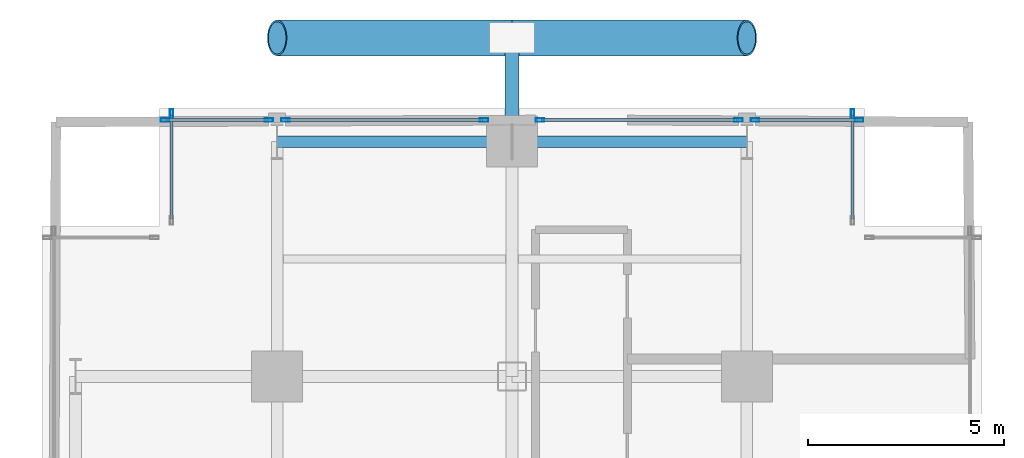
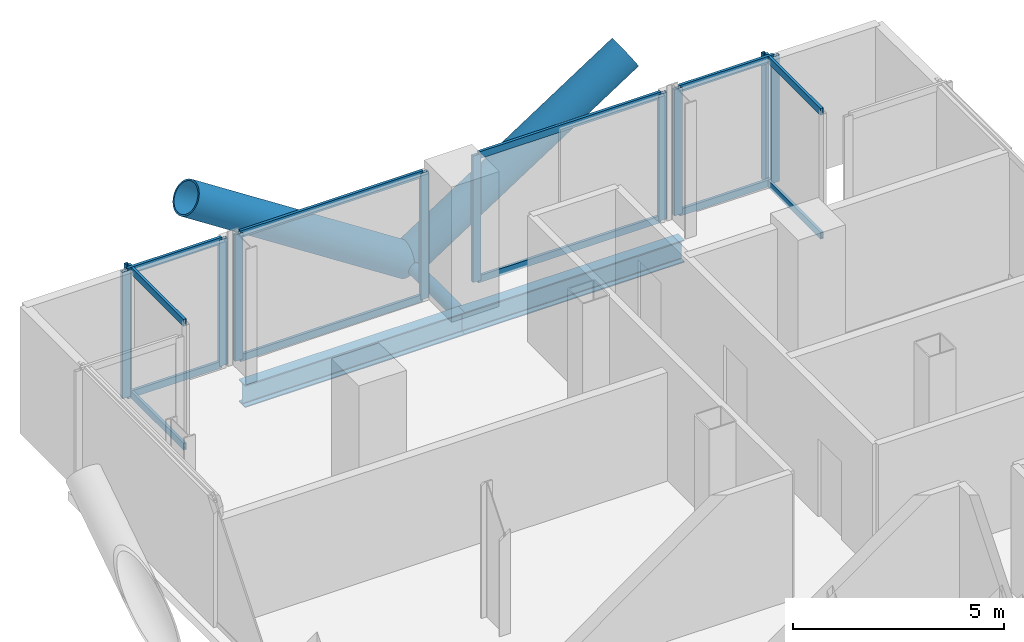
# One storey, part 16 of 25: 25 members, 2 beams, 6 elements without a shape of their own.
"""IFC4 building model written with IfcOpenShell, lengths in metres."""

from ifc_helpers import new_model, si_unit, direction, frame, origin, origin_2d, place, context, subcontext, project, spatial, hollow_rectangle, hollow_circle, i_section, extrude, material, layer, layer_set, material_profile, profile_set, type_object, element, aggregate, save


model = new_model("IFC4")

# Units and contexts
model_context = context("Model", 3, precision=1e-05, world=origin(), true_north=direction((0.0, 1.0)))
body_context = subcontext(model_context, "Body", "Model", "MODEL_VIEW")
ifc_project = project(units=[si_unit("LENGTHUNIT", "METRE"), si_unit("AREAUNIT", "SQUARE_METRE"), si_unit("VOLUMEUNIT", "CUBIC_METRE"), si_unit("PLANEANGLEUNIT", "RADIAN"), si_unit("MASSUNIT", "GRAM", prefix="KILO"), si_unit("THERMODYNAMICTEMPERATUREUNIT", "KELVIN"), si_unit("POWERUNIT", "WATT")], contexts=[model_context])

# Site, building, storey
site_placement = place(None, origin())
site = spatial("IfcSite", under=ifc_project, at=site_placement, CompositionType="ELEMENT")
building_placement = place(site_placement, origin())
building = spatial("IfcBuilding", under=site, at=building_placement, Name="Svarakhadi Broadcast Tower", CompositionType="ELEMENT")
storey_placement = place(building_placement, frame((0.0, 0.0, 83.10009765625)))
storey = spatial("IfcBuildingStorey", under=building, at=storey_placement, Name="L19", CompositionType="ELEMENT", Elevation=83.10009765625)

# Curtain wall, member
ifc_material_1 = material(Name="Anodised Bronze Aluminium AA 6063-T6", Category="aluminium")
ifc_layer = layer(ifc_material_1, 0.219970703125)
ifc_layer_set = layer_set([ifc_layer], Name="Anodised Bronze Aluminium AA 6063-T6")
curtain_wall_type = type_object("IfcCurtainWallType", Name="CW_Sys_02", PredefinedType="NOTDEFINED", material=ifc_layer_set)
curtain_wall_1_placement = place(storey_placement, origin())
curtain_wall_1 = element("IfcCurtainWall", 1, at=curtain_wall_1_placement, inside=storey, type_object=curtain_wall_type, Name="L19 Unitised Facade Curtain Wall 05", PredefinedType="NOTDEFINED")
ifc_material_profile_1 = material_profile(ifc_material_1, hollow_rectangle(XDim=0.0849609375, YDim=0.219970703125, WallThickness=0.006103515625, at=origin_2d()), Name="ALU MULLION 220x85x6")
ifc_profile_set_1 = profile_set([ifc_material_profile_1], Name="Anodised Bronze Aluminium AA 6063-T6")
member_type_1 = type_object("IfcMemberType", Name="CW_Sys_02_Mul", PredefinedType="MULLION", material=ifc_profile_set_1)
member_1_placement = place(storey_placement, frame((3.300048828125, 47.867431640625, 0.0), z_axis=(0.0, 0.0, 1.0), x_axis=(-1.0, 0.0, 0.0)))
member_1 = element("IfcMember", 2, at=member_1_placement, type_object=member_type_1, Name="CW-02 mullion 2", PredefinedType="MULLION", context=body_context, shape_type="SweptSolid", body=[
    extrude(hollow_rectangle(XDim=0.0849609375, YDim=0.219970703125, WallThickness=0.006103515625, at=origin_2d()), origin(), (0.0, 0.0, 1.0), 3.64990234375),
])

# Curtain wall, members
curtain_wall_2_placement = place(storey_placement, origin())
curtain_wall_2 = element("IfcCurtainWall", 3, at=curtain_wall_2_placement, inside=storey, type_object=curtain_wall_type, Name="L19 Unitised Facade Curtain Wall 06 Bay 1", PredefinedType="NOTDEFINED")
member_2_placement = place(storey_placement, frame((3.132568359375, 47.699951171875, 0.0), z_axis=(0.0, 0.0, 1.0), x_axis=(0.0, 1.0, 0.0)))
member_2 = element("IfcMember", 4, at=member_2_placement, type_object=member_type_1, Name="CW-02 mullion 1", PredefinedType="MULLION", context=body_context, shape_type="SweptSolid", body=[
    extrude(hollow_rectangle(XDim=0.0849609375, YDim=0.219970703125, WallThickness=0.006103515625, at=origin_2d()), origin(), (0.0, 0.0, 1.0), 3.64990234375),
])
member_3_placement = place(storey_placement, frame((5.78759765625, 47.699951171875, 0.0), z_axis=(0.0, 0.0, 1.0), x_axis=(0.0, 1.0, 0.0)))
member_3 = element("IfcMember", 5, at=member_3_placement, type_object=member_type_1, Name="CW-02 mullion 2", PredefinedType="MULLION", context=body_context, shape_type="SweptSolid", body=[
    extrude(hollow_rectangle(XDim=0.0849609375, YDim=0.219970703125, WallThickness=0.006103515625, at=origin_2d()), origin(), (0.0, 0.0, 1.0), 3.64990234375),
])

curtain_wall_3_placement = place(storey_placement, origin())
curtain_wall_3 = element("IfcCurtainWall", 6, at=curtain_wall_3_placement, inside=storey, type_object=curtain_wall_type, Name="L19 Unitised Facade Curtain Wall 06 Bay 2", PredefinedType="NOTDEFINED")
member_4_placement = place(storey_placement, frame((6.21240234375, 47.699951171875, 0.0), z_axis=(0.0, 0.0, 1.0), x_axis=(0.0, 1.0, 0.0)))
member_4 = element("IfcMember", 7, at=member_4_placement, type_object=member_type_1, Name="CW-02 mullion 1", PredefinedType="MULLION", context=body_context, shape_type="SweptSolid", body=[
    extrude(hollow_rectangle(XDim=0.0849609375, YDim=0.219970703125, WallThickness=0.006103515625, at=origin_2d()), origin(), (0.0, 0.0, 1.0), 3.64990234375),
])
member_5_placement = place(storey_placement, frame((11.28759765625, 47.699951171875, 0.0), z_axis=(0.0, 0.0, 1.0), x_axis=(0.0, 1.0, 0.0)))
member_5 = element("IfcMember", 8, at=member_5_placement, type_object=member_type_1, Name="CW-02 mullion 2", PredefinedType="MULLION", context=body_context, shape_type="SweptSolid", body=[
    extrude(hollow_rectangle(XDim=0.0849609375, YDim=0.219970703125, WallThickness=0.006103515625, at=origin_2d()), origin(), (0.0, 0.0, 1.0), 3.64990234375),
])

curtain_wall_4_placement = place(storey_placement, origin())
curtain_wall_4 = element("IfcCurtainWall", 9, at=curtain_wall_4_placement, inside=storey, type_object=curtain_wall_type, Name="L19 Unitised Facade Curtain Wall 06 Bay 3", PredefinedType="NOTDEFINED")
member_6_placement = place(storey_placement, frame((12.71240234375, 47.699951171875, 0.0), z_axis=(0.0, 0.0, 1.0), x_axis=(0.0, 1.0, 0.0)))
member_6 = element("IfcMember", 10, at=member_6_placement, type_object=member_type_1, Name="CW-02 mullion 1", PredefinedType="MULLION", context=body_context, shape_type="SweptSolid", body=[
    extrude(hollow_rectangle(XDim=0.0849609375, YDim=0.219970703125, WallThickness=0.006103515625, at=origin_2d()), origin(), (0.0, 0.0, 1.0), 3.64990234375),
])
member_7_placement = place(storey_placement, frame((17.78759765625, 47.699951171875, 0.0), z_axis=(0.0, 0.0, 1.0), x_axis=(0.0, 1.0, 0.0)))
member_7 = element("IfcMember", 11, at=member_7_placement, type_object=member_type_1, Name="CW-02 mullion 2", PredefinedType="MULLION", context=body_context, shape_type="SweptSolid", body=[
    extrude(hollow_rectangle(XDim=0.0849609375, YDim=0.219970703125, WallThickness=0.006103515625, at=origin_2d()), origin(), (0.0, 0.0, 1.0), 3.64990234375),
])

curtain_wall_5_placement = place(storey_placement, origin())
curtain_wall_5 = element("IfcCurtainWall", 12, at=curtain_wall_5_placement, inside=storey, type_object=curtain_wall_type, Name="L19 Unitised Facade Curtain Wall 06 Bay 4", PredefinedType="NOTDEFINED")
member_8_placement = place(storey_placement, frame((18.21240234375, 47.699951171875, 0.0), z_axis=(0.0, 0.0, 1.0), x_axis=(0.0, 1.0, 0.0)))
member_8 = element("IfcMember", 13, at=member_8_placement, type_object=member_type_1, Name="CW-02 mullion 1", PredefinedType="MULLION", context=body_context, shape_type="SweptSolid", body=[
    extrude(hollow_rectangle(XDim=0.0849609375, YDim=0.219970703125, WallThickness=0.006103515625, at=origin_2d()), origin(), (0.0, 0.0, 1.0), 3.64990234375),
])
member_9_placement = place(storey_placement, frame((20.867431640625, 47.699951171875, 0.0), z_axis=(0.0, 0.0, 1.0), x_axis=(0.0, 1.0, 0.0)))
member_9 = element("IfcMember", 14, at=member_9_placement, type_object=member_type_1, Name="CW-02 mullion 2", PredefinedType="MULLION", context=body_context, shape_type="SweptSolid", body=[
    extrude(hollow_rectangle(XDim=0.0849609375, YDim=0.219970703125, WallThickness=0.006103515625, at=origin_2d()), origin(), (0.0, 0.0, 1.0), 3.64990234375),
])

# Curtain wall, member
curtain_wall_6_placement = place(storey_placement, origin())
curtain_wall_6 = element("IfcCurtainWall", 15, at=curtain_wall_6_placement, inside=storey, type_object=curtain_wall_type, Name="L19 Unitised Facade Curtain Wall 07", PredefinedType="NOTDEFINED")
member_10_placement = place(storey_placement, frame((20.699951171875, 47.867431640625, 0.0), z_axis=(0.0, 0.0, 1.0), x_axis=(1.0, 0.0, 0.0)))
member_10 = element("IfcMember", 16, at=member_10_placement, type_object=member_type_1, Name="CW-02 mullion 1", PredefinedType="MULLION", context=body_context, shape_type="SweptSolid", body=[
    extrude(hollow_rectangle(XDim=0.0849609375, YDim=0.219970703125, WallThickness=0.006103515625, at=origin_2d()), origin(), (0.0, 0.0, 1.0), 3.64990234375),
])

# Member
ifc_material_profile_2 = material_profile(ifc_material_1, hollow_rectangle(XDim=0.074951171875, YDim=0.199951171875, WallThickness=0.0048828125, at=origin_2d()), Name="ALU TRANSOM 200x75x5")
ifc_profile_set_2 = profile_set([ifc_material_profile_2], Name="Anodised Bronze Aluminium AA 6063-T6")
member_type_2 = type_object("IfcMemberType", Name="CW_Sys_02_Trn", PredefinedType="USERDEFINED", material=ifc_profile_set_2)
member_11_placement = place(storey_placement, frame((3.300048828125, 45.175048828125, 0.037353515625), z_axis=(0.0, 1.0, 0.0), x_axis=(-1.0, 0.0, 0.0)))
member_11 = element("IfcMember", 17, at=member_11_placement, type_object=member_type_2, Name="CW-02 transom 1.1", ObjectType="TRANSOM", PredefinedType="USERDEFINED", context=body_context, shape_type="SweptSolid", body=[
    extrude(hollow_rectangle(XDim=0.074951171875, YDim=0.199951171875, WallThickness=0.0048828125, at=origin_2d()), origin(), (0.0, 0.0, 1.0), 2.64990234375),
])

member_12_placement = place(storey_placement, frame((3.300048828125, 45.175048828125, 3.6123046875), z_axis=(0.0, 1.0, 0.0), x_axis=(-1.0, 0.0, 0.0)))
member_12 = element("IfcMember", 18, at=member_12_placement, type_object=member_type_2, Name="CW-02 transom 1.2", ObjectType="TRANSOM", PredefinedType="USERDEFINED", context=body_context, shape_type="SweptSolid", body=[
    extrude(hollow_rectangle(XDim=0.074951171875, YDim=0.199951171875, WallThickness=0.0048828125, at=origin_2d()), origin(), (0.0, 0.0, 1.0), 2.64990234375),
])

aggregate(curtain_wall_1, [member_1, member_11, member_12])

member_13_placement = place(storey_placement, frame((3.175048828125, 47.699951171875, 0.037353515625), z_axis=(1.0, 0.0, 0.0), x_axis=(0.0, 1.0, 0.0)))
member_13 = element("IfcMember", 19, at=member_13_placement, type_object=member_type_2, Name="CW-02 transom 1.1", ObjectType="TRANSOM", PredefinedType="USERDEFINED", context=body_context, shape_type="SweptSolid", body=[
    extrude(hollow_rectangle(XDim=0.074951171875, YDim=0.199951171875, WallThickness=0.0048828125, at=origin_2d()), origin(), (0.0, 0.0, 1.0), 2.570068359375),
])

member_14_placement = place(storey_placement, frame((3.175048828125, 47.699951171875, 3.6123046875), z_axis=(1.0, 0.0, 0.0), x_axis=(0.0, 1.0, 0.0)))
member_14 = element("IfcMember", 20, at=member_14_placement, type_object=member_type_2, Name="CW-02 transom 1.2", ObjectType="TRANSOM", PredefinedType="USERDEFINED", context=body_context, shape_type="SweptSolid", body=[
    extrude(hollow_rectangle(XDim=0.074951171875, YDim=0.199951171875, WallThickness=0.0048828125, at=origin_2d()), origin(), (0.0, 0.0, 1.0), 2.570068359375),
])

aggregate(curtain_wall_2, [member_2, member_3, member_13, member_14])

member_15_placement = place(storey_placement, frame((6.2548828125, 47.699951171875, 0.037353515625), z_axis=(1.0, 0.0, 0.0), x_axis=(0.0, 1.0, 0.0)))
member_15 = element("IfcMember", 21, at=member_15_placement, type_object=member_type_2, Name="CW-02 transom 1.1", ObjectType="TRANSOM", PredefinedType="USERDEFINED", context=body_context, shape_type="SweptSolid", body=[
    extrude(hollow_rectangle(XDim=0.074951171875, YDim=0.199951171875, WallThickness=0.0048828125, at=origin_2d()), origin(), (0.0, 0.0, 1.0), 4.990234375),
])

member_16_placement = place(storey_placement, frame((6.2548828125, 47.699951171875, 3.6123046875), z_axis=(1.0, 0.0, 0.0), x_axis=(0.0, 1.0, 0.0)))
member_16 = element("IfcMember", 22, at=member_16_placement, type_object=member_type_2, Name="CW-02 transom 1.2", ObjectType="TRANSOM", PredefinedType="USERDEFINED", context=body_context, shape_type="SweptSolid", body=[
    extrude(hollow_rectangle(XDim=0.074951171875, YDim=0.199951171875, WallThickness=0.0048828125, at=origin_2d()), origin(), (0.0, 0.0, 1.0), 4.990234375),
])

aggregate(curtain_wall_3, [member_4, member_5, member_15, member_16])

member_17_placement = place(storey_placement, frame((12.7548828125, 47.699951171875, 0.037353515625), z_axis=(1.0, 0.0, 0.0), x_axis=(0.0, 1.0, 0.0)))
member_17 = element("IfcMember", 23, at=member_17_placement, type_object=member_type_2, Name="CW-02 transom 1.1", ObjectType="TRANSOM", PredefinedType="USERDEFINED", context=body_context, shape_type="SweptSolid", body=[
    extrude(hollow_rectangle(XDim=0.074951171875, YDim=0.199951171875, WallThickness=0.0048828125, at=origin_2d()), origin(), (0.0, 0.0, 1.0), 4.990234375),
])

member_18_placement = place(storey_placement, frame((12.7548828125, 47.699951171875, 3.6123046875), z_axis=(1.0, 0.0, 0.0), x_axis=(0.0, 1.0, 0.0)))
member_18 = element("IfcMember", 24, at=member_18_placement, type_object=member_type_2, Name="CW-02 transom 1.2", ObjectType="TRANSOM", PredefinedType="USERDEFINED", context=body_context, shape_type="SweptSolid", body=[
    extrude(hollow_rectangle(XDim=0.074951171875, YDim=0.199951171875, WallThickness=0.0048828125, at=origin_2d()), origin(), (0.0, 0.0, 1.0), 4.990234375),
])

aggregate(curtain_wall_4, [member_6, member_7, member_17, member_18])

member_19_placement = place(storey_placement, frame((18.2548828125, 47.699951171875, 0.037353515625), z_axis=(1.0, 0.0, 0.0), x_axis=(0.0, 1.0, 0.0)))
member_19 = element("IfcMember", 25, at=member_19_placement, type_object=member_type_2, Name="CW-02 transom 1.1", ObjectType="TRANSOM", PredefinedType="USERDEFINED", context=body_context, shape_type="SweptSolid", body=[
    extrude(hollow_rectangle(XDim=0.074951171875, YDim=0.199951171875, WallThickness=0.0048828125, at=origin_2d()), origin(), (0.0, 0.0, 1.0), 2.570068359375),
])

member_20_placement = place(storey_placement, frame((18.2548828125, 47.699951171875, 3.6123046875), z_axis=(1.0, 0.0, 0.0), x_axis=(0.0, 1.0, 0.0)))
member_20 = element("IfcMember", 26, at=member_20_placement, type_object=member_type_2, Name="CW-02 transom 1.2", ObjectType="TRANSOM", PredefinedType="USERDEFINED", context=body_context, shape_type="SweptSolid", body=[
    extrude(hollow_rectangle(XDim=0.074951171875, YDim=0.199951171875, WallThickness=0.0048828125, at=origin_2d()), origin(), (0.0, 0.0, 1.0), 2.570068359375),
])

aggregate(curtain_wall_5, [member_8, member_9, member_19, member_20])

member_21_placement = place(storey_placement, frame((20.699951171875, 47.824951171875, 0.037353515625), z_axis=(0.0, -1.0, 0.0), x_axis=(1.0, 0.0, 0.0)))
member_21 = element("IfcMember", 27, at=member_21_placement, type_object=member_type_2, Name="CW-02 transom 1.1", ObjectType="TRANSOM", PredefinedType="USERDEFINED", context=body_context, shape_type="SweptSolid", body=[
    extrude(hollow_rectangle(XDim=0.074951171875, YDim=0.199951171875, WallThickness=0.0048828125, at=origin_2d()), origin(), (0.0, 0.0, 1.0), 2.64990234375),
])

member_22_placement = place(storey_placement, frame((20.699951171875, 47.824951171875, 3.6123046875), z_axis=(0.0, -1.0, 0.0), x_axis=(1.0, 0.0, 0.0)))
member_22 = element("IfcMember", 28, at=member_22_placement, type_object=member_type_2, Name="CW-02 transom 1.2", ObjectType="TRANSOM", PredefinedType="USERDEFINED", context=body_context, shape_type="SweptSolid", body=[
    extrude(hollow_rectangle(XDim=0.074951171875, YDim=0.199951171875, WallThickness=0.0048828125, at=origin_2d()), origin(), (0.0, 0.0, 1.0), 2.64990234375),
])

aggregate(curtain_wall_6, [member_10, member_21, member_22])

# Members
ifc_material_2 = material(Name="Steel S460ML (IS 2062 E450BR)", Category="steel")
ifc_material_profile_3 = material_profile(ifc_material_2, hollow_circle(Radius=0.45703125, WallThickness=0.044921875, at=origin_2d()), Name="CHS 914x45")
ifc_profile_set_3 = profile_set([ifc_material_profile_3], Name="Steel S460ML (IS 2062 E450BR)")
member_type_3 = type_object("IfcMemberType", Name="Exo_Brace_CHS914", PredefinedType="BRACE", material=ifc_profile_set_3)
for number, where, z_axis, x_axis, name in (
    (29, (12.0, 49.800048828125, -0.427978515625), (-0.838434262763, 0.0, 0.545002740383), (0.0, -1.0, 0.0), "L19 Exposed Bronze Exoskeleton Diagonal N10"),
    (30, (12.0, 49.800048828125, -0.427978515625), (0.838434262763, 0.0, 0.545002740383), (0.0, 1.0, 0.0), "L19 Exposed Bronze Exoskeleton Diagonal N11"),
):
    element("IfcMember", number, at=place(storey_placement, frame(where, z_axis=z_axis, x_axis=x_axis)), inside=storey, type_object=member_type_3, Name=name, PredefinedType="BRACE", context=body_context, shape_type="SweptSolid", body=[
        extrude(hollow_circle(Radius=0.45703125, WallThickness=0.044921875, at=origin_2d()), origin(), (0.0, 0.0, 1.0), 7.15625),
    ])
ifc_material_profile_4 = material_profile(ifc_material_2, hollow_circle(Radius=0.177734375, WallThickness=0.02001953125, at=origin_2d()), Name="CHS 355.6x20")
ifc_profile_set_4 = profile_set([ifc_material_profile_4], Name="Steel S460ML (IS 2062 E450BR)")
member_type_4 = type_object("IfcMemberType", Name="Exo_Radial_Strut_Z1", PredefinedType="STRUT", material=ifc_profile_set_4)
member_23_placement = place(storey_placement, frame((12.0, 49.800048828125, -0.427978515625), z_axis=(0.0, -1.0, 0.0), x_axis=(1.0, 0.0, 0.0)))
element("IfcMember", 31, at=member_23_placement, inside=storey, type_object=member_type_4, Name="L19 Exoskeleton Radial Tie Strut N07", PredefinedType="STRUT", context=body_context, shape_type="SweptSolid", body=[
    extrude(hollow_circle(Radius=0.177734375, WallThickness=0.02001953125, at=origin_2d()), origin(), (0.0, 0.0, 1.0), 2.650146484375),
])

# Beams
ifc_material_3 = material(Name="Steel S355J2 (IS 2062 E350C)", Category="steel")
ifc_material_profile_5 = material_profile(ifc_material_3, i_section(OverallWidth=0.300048828125, OverallDepth=0.64990234375, WebThickness=0.01611328125, FlangeThickness=0.031005859375, FilletRadius=0.027099609375, at=origin_2d()), Name="WPB 650x300x225")
ifc_profile_set_5 = profile_set([ifc_material_profile_5], Name="Steel S355J2 (IS 2062 E350C)")
beam_type = type_object("IfcBeamType", Name="Girder_WPB650", PredefinedType="USERDEFINED", material=ifc_profile_set_5)
for number, where, z_axis, x_axis, name in (
    (32, (6.0, 47.14990234375, -0.5751953125), (1.0, 0.0, 0.0), (0.0, 1.0, 0.0), "L19 Primary E-W Girder G043"),
    (33, (12.0, 47.14990234375, -0.5751953125), (1.0, 0.0, 0.0), (0.0, 1.0, 0.0), "L19 Primary E-W Girder G044"),
):
    element("IfcBeam", number, at=place(storey_placement, frame(where, z_axis=z_axis, x_axis=x_axis)), inside=storey, type_object=beam_type, Name=name, ObjectType="GIRDER", PredefinedType="USERDEFINED", context=body_context, shape_type="SweptSolid", body=[
        extrude(i_section(OverallWidth=0.300048828125, OverallDepth=0.64990234375, WebThickness=0.01611328125, FlangeThickness=0.031005859375, FilletRadius=0.027099609375, at=origin_2d()), origin(), (0.0, 0.0, 1.0), 6.0),
    ])

save(model, "model.ifc")
